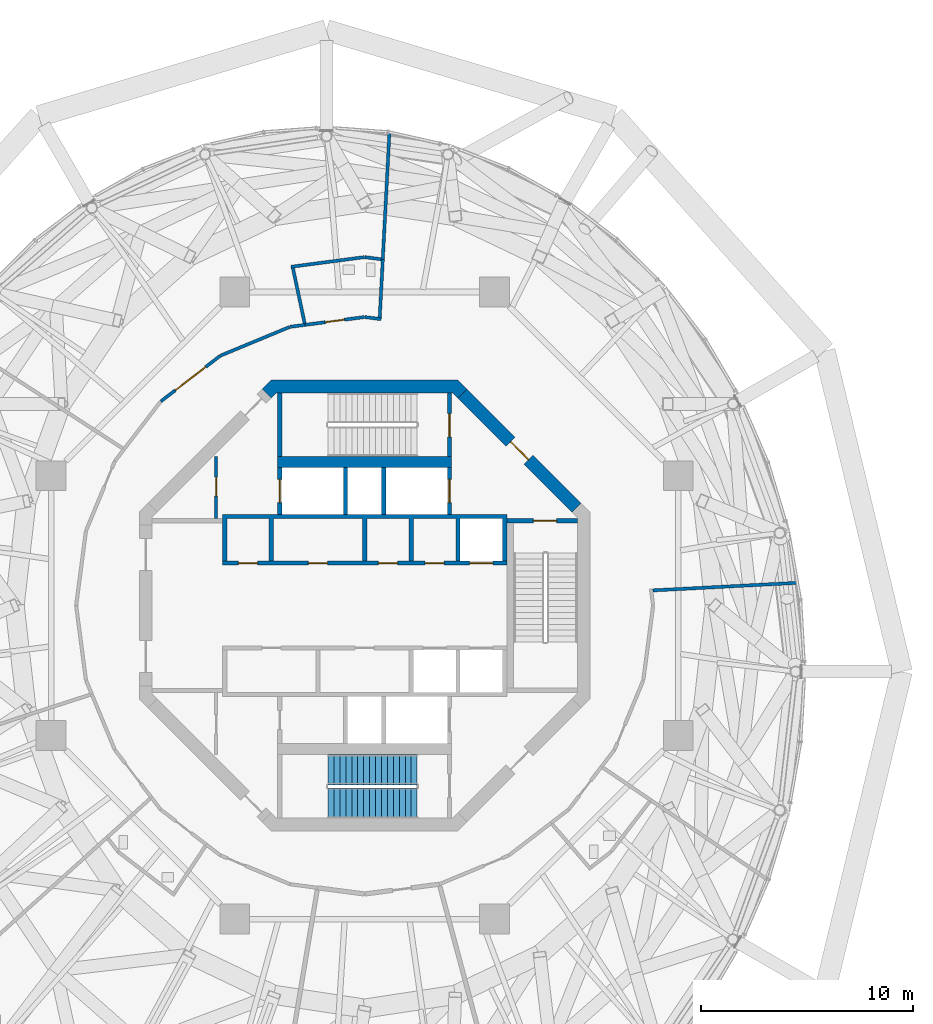
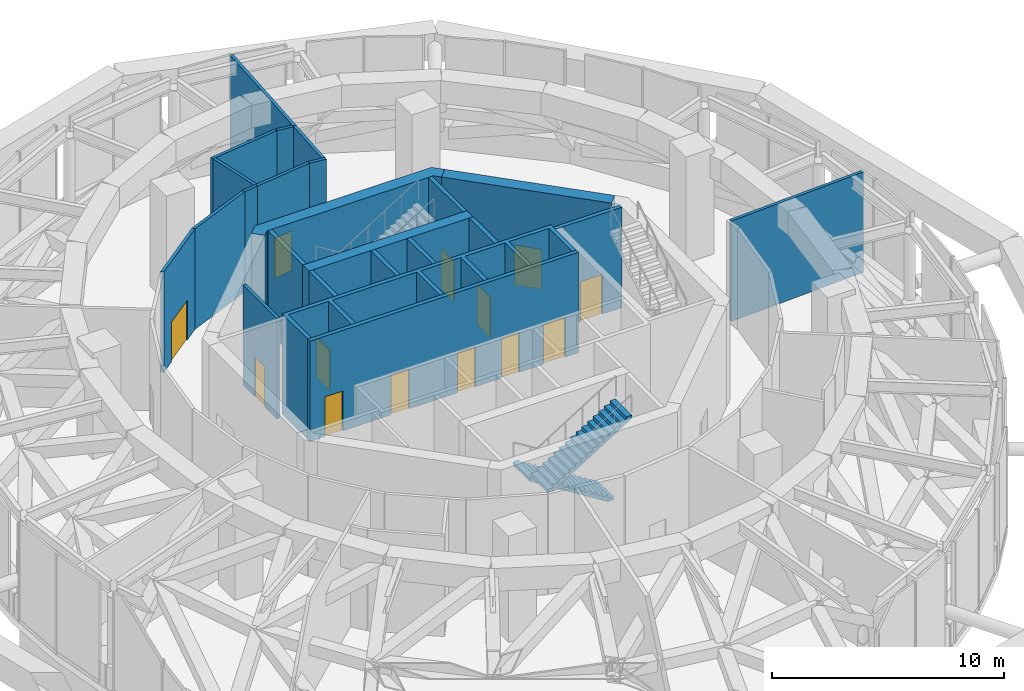
# One storey, part 15 of 22: 24 walls, 13 doors, 2 stair flights, 13 openings, 1 element without a shape of its own.
"""IFC4 building model written with IfcOpenShell, lengths in metres."""

from ifc_helpers import new_model, si_unit, direction, frame, frame_2d, origin, place, context, subcontext, project, spatial, polyline, rectangle, outline, extrude, material, layer, layer_set, type_object, element, fill, aggregate, save


model = new_model("IFC4")

# Units and contexts
model_context = context("Model", 3, precision=1e-05, world=origin(), true_north=direction((0.0, 1.0)))
body_context = subcontext(model_context, "Body", "Model", "MODEL_VIEW")
ifc_project = project(units=[si_unit("LENGTHUNIT", "METRE"), si_unit("AREAUNIT", "SQUARE_METRE"), si_unit("VOLUMEUNIT", "CUBIC_METRE"), si_unit("PLANEANGLEUNIT", "RADIAN"), si_unit("MASSUNIT", "GRAM", prefix="KILO")], contexts=[model_context])

# Site, building, storey
site_placement = place(None, origin())
site = spatial("IfcSite", under=ifc_project, at=site_placement, CompositionType="ELEMENT")
building_placement = place(site_placement, origin())
building = spatial("IfcBuilding", under=site, at=building_placement, Name="Nagisa Residences", CompositionType="ELEMENT")
storey_placement = place(building_placement, frame((0.0, 0.0, 310.300048828125)))
storey = spatial("IfcBuildingStorey", under=building, at=storey_placement, Name="L77", CompositionType="ELEMENT", Elevation=310.300048828125)

# Wall, opening, door
ifc_material_1 = material(Name="Gypsum board on steel studs", Category="steel")
ifc_layer_1 = layer(ifc_material_1, 0.14990234375)
ifc_layer_set_1 = layer_set([ifc_layer_1], Name="Core partition 150")
wall_type_1 = type_object("IfcWallType", Name="Core partition 150", PredefinedType="PARTITIONING", material=ifc_layer_set_1)
wall_1_placement = place(storey_placement, frame((-7.0, 4.10009765625, 0.0), z_axis=(0.0, 0.0, 1.0), x_axis=(0.0, 1.0, 0.0)))
wall_1 = element("IfcWall", 1, at=wall_1_placement, inside=storey, type_object=wall_type_1, Name="wall:L77:NWp", PredefinedType="PARTITIONING", context=body_context, shape_type="SweptSolid", body=[
    extrude(rectangle(XDim=2.9267578125, YDim=0.14990234375, at=frame_2d((1.46337890625, 0.0))), origin(), (0.0, 0.0, 1.0), 5.300048828125),
])
opening_1_placement = place(wall_1_placement, frame((1.051025390625, 0.0, 0.0)))
opening_1 = element("IfcOpeningElement", 2, at=opening_1_placement, cuts=wall_1, Name="Opening L77-C10", PredefinedType="OPENING", context=body_context, shape_type="SweptSolid", body=[
    extrude(rectangle(XDim=0.89990234375, YDim=2.10009765625, at=frame_2d((0.449951171875, 1.050048828125))), frame((0.0, 0.0849609375, 0.0), z_axis=(0.0, -1.0, 0.0), x_axis=(1.0, 0.0, 0.0)), (0.0, 0.0, 1.0), 0.169921875),
])
ifc_material_2 = material(Name="Steel fire door", Category="steel")
door_type_1 = type_object("IfcDoorType", Name="Fire door EI30 900x2100 single swing", OperationType="NOTDEFINED", PredefinedType="DOOR", material=ifc_material_2)
door_1_placement = place(opening_1_placement, origin())
door_1 = element("IfcDoor", 3, at=door_1_placement, inside=storey, type_object=door_type_1, Name="Electrical room door L77", OperationType="SINGLE_SWING_RIGHT", OverallHeight=2.10009765625, OverallWidth=0.89990234375, PredefinedType="DOOR", context=body_context, shape_type="SweptSolid", body=[
    extrude(rectangle(XDim=0.89990234375, YDim=2.10009765625, at=frame_2d((0.449951171875, 1.050048828125))), frame((0.0, 0.02490234375, 0.0), z_axis=(0.0, -1.0, 0.0), x_axis=(1.0, 0.0, 0.0)), (0.0, 0.0, 1.0), 0.050048828125),
])
fill(opening_1, door_1)

ifc_material_3 = material(Name="Concrete C60", Category="concrete")
ifc_layer_2 = layer(ifc_material_3, 0.60009765625)
ifc_layer_set_2 = layer_set([ifc_layer_2], Name="Core shear wall 600")
wall_type_2 = type_object("IfcWallType", Name="Core shear wall 600", PredefinedType="SHEAR", material=ifc_layer_set_2)
wall_2_placement = place(storey_placement, frame((9.98828125, 4.613037109375, 0.0), z_axis=(0.0, 0.0, 1.0), x_axis=(-0.707106781187, 0.707106781187, 0.0)))
wall_2 = element("IfcWall", 4, at=wall_2_placement, inside=storey, type_object=wall_type_2, Name="wall:L77:core:flat1", PredefinedType="SHEAR", context=body_context, shape_type="SweptSolid", body=[
    extrude(rectangle(XDim=7.601806640625, YDim=0.60009765625, at=frame_2d((3.80078125, 0.0))), origin(), (0.0, 0.0, 1.0), 5.300048828125),
])
opening_2_placement = place(wall_2_placement, frame((3.200927734375, 0.0, 0.0)))
opening_2 = element("IfcOpeningElement", 5, at=opening_2_placement, cuts=wall_2, Name="Opening L77-C19", PredefinedType="OPENING", context=body_context, shape_type="SweptSolid", body=[
    extrude(rectangle(XDim=1.199951171875, YDim=2.10009765625, at=frame_2d((0.60009765625, 1.050048828125))), frame((0.0, 0.31005859375, 0.0), z_axis=(0.0, -1.0, 0.0), x_axis=(1.0, 0.0, 0.0)), (0.0, 0.0, 1.0), 0.6201171875),
])
ifc_material_4 = material(Name="Steel fire door", Category="steel")
door_type_2 = type_object("IfcDoorType", Name="Fire door EI60 1200x2100 single swing", OperationType="NOTDEFINED", PredefinedType="DOOR", material=ifc_material_4)
door_2_placement = place(opening_2_placement, origin())
door_2 = element("IfcDoor", 6, at=door_2_placement, inside=storey, type_object=door_type_2, Name="Firefighting lobby 1 door L77", OperationType="SINGLE_SWING_LEFT", OverallHeight=2.10009765625, OverallWidth=1.199951171875, PredefinedType="DOOR", context=body_context, shape_type="SweptSolid", body=[
    extrude(rectangle(XDim=1.199951171875, YDim=2.10009765625, at=frame_2d((0.60009765625, 1.050048828125))), frame((0.0, 0.02490234375, 0.0), z_axis=(0.0, -1.0, 0.0), x_axis=(1.0, 0.0, 0.0)), (0.0, 0.0, 1.0), 0.050048828125),
])
fill(opening_2, door_2)

# Wall
wall_3_placement = place(storey_placement, origin())
element("IfcWall", 7, at=wall_3_placement, inside=storey, type_object=wall_type_2, Name="wall:L77:core:flat2", PredefinedType="SHEAR", context=body_context, shape_type="SweptSolid", body=[
    extrude(outline(polyline([(-4.15234375, 10.024658203125), (-4.40087890625, 9.776123046875), (-4.8251953125, 10.200439453125), (-4.40087890625, 10.62451171875), (4.40087890625, 10.62451171875), (4.8251953125, 10.200439453125), (4.40087890625, 9.776123046875), (4.15234375, 10.024658203125), (-4.15234375, 10.024658203125)])), origin(), (0.0, 0.0, 1.0), 5.300048828125),
])

# Wall, opening, door
ifc_material_5 = material(Name="Concrete C60", Category="concrete")
ifc_layer_3 = layer(ifc_material_5, 0.199951171875)
ifc_layer_set_3 = layer_set([ifc_layer_3], Name="Lift shaft wall 200")
wall_type_3 = type_object("IfcWallType", Name="Lift shaft wall 200", PredefinedType="SOLIDWALL", material=ifc_layer_set_3)
wall_4_placement = place(storey_placement, frame((4.0, 4.300048828125, 0.0), z_axis=(0.0, 0.0, 1.0), x_axis=(0.0, 1.0, 0.0)))
wall_4 = element("IfcWall", 8, at=wall_4_placement, inside=storey, type_object=wall_type_3, Name="wall:L77:Nb3", PredefinedType="SOLIDWALL", context=body_context, shape_type="SweptSolid", body=[
    extrude(rectangle(XDim=2.199951171875, YDim=0.199951171875, at=frame_2d((1.10009765625, 0.0))), origin(), (0.0, 0.0, 1.0), 5.300048828125),
])
opening_3_placement = place(wall_4_placement, frame((0.550048828125, 0.0, 0.0)))
opening_3 = element("IfcOpeningElement", 9, at=opening_3_placement, cuts=wall_4, Name="Opening L77-C04", PredefinedType="OPENING", context=body_context, shape_type="SweptSolid", body=[
    extrude(rectangle(XDim=1.10009765625, YDim=2.10009765625, at=frame_2d((0.550048828125, 1.050048828125))), frame((0.0, 0.10986328125, 0.0), z_axis=(0.0, -1.0, 0.0), x_axis=(1.0, 0.0, 0.0)), (0.0, 0.0, 1.0), 0.219970703125),
])
ifc_material_6 = material(Name="Stainless steel", Category="steel")
door_type_3 = type_object("IfcDoorType", Name="Lift landing door 1100x2100", OperationType="DOUBLE_DOOR_SLIDING", PredefinedType="DOOR", material=ifc_material_6)
door_3_placement = place(opening_3_placement, origin())
door_3 = element("IfcDoor", 10, at=door_3_placement, inside=storey, type_object=door_type_3, Name="Landing door FL1 L77", OperationType="DOUBLE_DOOR_SLIDING", OverallHeight=2.10009765625, OverallWidth=1.10009765625, PredefinedType="DOOR", context=body_context, shape_type="SweptSolid", body=[
    extrude(rectangle(XDim=1.10009765625, YDim=2.10009765625, at=frame_2d((0.550048828125, 1.050048828125))), frame((0.0, 0.02490234375, 0.0), z_axis=(0.0, -1.0, 0.0), x_axis=(1.0, 0.0, 0.0)), (0.0, 0.0, 1.0), 0.050048828125),
])
fill(opening_3, door_3)

wall_5_placement = place(storey_placement, frame((-4.0, 4.300048828125, 0.0), z_axis=(0.0, 0.0, 1.0), x_axis=(0.0, 1.0, 0.0)))
wall_5 = element("IfcWall", 11, at=wall_5_placement, inside=storey, type_object=wall_type_3, Name="wall:L77:Nb4", PredefinedType="SOLIDWALL", context=body_context, shape_type="SweptSolid", body=[
    extrude(rectangle(XDim=2.199951171875, YDim=0.199951171875, at=frame_2d((1.10009765625, 0.0))), origin(), (0.0, 0.0, 1.0), 5.300048828125),
])
opening_4_placement = place(wall_5_placement, frame((0.550048828125, 0.0, 0.0)))
opening_4 = element("IfcOpeningElement", 12, at=opening_4_placement, cuts=wall_5, Name="Opening L77-C06", PredefinedType="OPENING", context=body_context, shape_type="SweptSolid", body=[
    extrude(rectangle(XDim=1.10009765625, YDim=2.10009765625, at=frame_2d((0.550048828125, 1.050048828125))), frame((0.0, 0.10986328125, 0.0), z_axis=(0.0, -1.0, 0.0), x_axis=(1.0, 0.0, 0.0)), (0.0, 0.0, 1.0), 0.219970703125),
])
door_4_placement = place(opening_4_placement, origin())
door_4 = element("IfcDoor", 13, at=door_4_placement, inside=storey, type_object=door_type_3, Name="Landing door SV L77", OperationType="DOUBLE_DOOR_SLIDING", OverallHeight=2.10009765625, OverallWidth=1.10009765625, PredefinedType="DOOR", context=body_context, shape_type="SweptSolid", body=[
    extrude(rectangle(XDim=1.10009765625, YDim=2.10009765625, at=frame_2d((0.550048828125, 1.050048828125))), frame((0.0, 0.02490234375, 0.0), z_axis=(0.0, -1.0, 0.0), x_axis=(1.0, 0.0, 0.0)), (0.0, 0.0, 1.0), 0.050048828125),
])
fill(opening_4, door_4)

# Wall, openings, doors
wall_6_placement = place(storey_placement, frame((-6.699951171875, 2.0, 0.0), z_axis=(0.0, 0.0, 1.0), x_axis=(1.0, 0.0, 0.0)))
wall_6 = element("IfcWall", 14, at=wall_6_placement, inside=storey, type_object=wall_type_3, Name="wall:L77:Nfront", PredefinedType="SOLIDWALL", context=body_context, shape_type="SweptSolid", body=[
    extrude(rectangle(XDim=13.39990234375, YDim=0.199951171875, at=frame_2d((6.699951171875, 0.0))), origin(), (0.0, 0.0, 1.0), 5.300048828125),
])
opening_5_placement = place(wall_6_placement, frame((11.64990234375, 0.0, 0.0)))
opening_5 = element("IfcOpeningElement", 15, at=opening_5_placement, cuts=wall_6, Name="Opening L77-C01", PredefinedType="OPENING", context=body_context, shape_type="SweptSolid", body=[
    extrude(rectangle(XDim=1.10009765625, YDim=2.10009765625, at=frame_2d((0.550048828125, 1.050048828125))), frame((0.0, 0.10986328125, 0.0), z_axis=(0.0, -1.0, 0.0), x_axis=(1.0, 0.0, 0.0)), (0.0, 0.0, 1.0), 0.219970703125),
])
opening_6_placement = place(wall_6_placement, frame((0.75, 0.0, 0.0)))
opening_6 = element("IfcOpeningElement", 16, at=opening_6_placement, cuts=wall_6, Name="Opening L77-C13", PredefinedType="OPENING", context=body_context, shape_type="SweptSolid", body=[
    extrude(rectangle(XDim=0.89990234375, YDim=2.10009765625, at=frame_2d((0.449951171875, 1.050048828125))), frame((0.0, 0.10986328125, 0.0), z_axis=(0.0, -1.0, 0.0), x_axis=(1.0, 0.0, 0.0)), (0.0, 0.0, 1.0), 0.219970703125),
])
opening_7_placement = place(wall_6_placement, frame((4.050048828125, 0.0, 0.0)))
opening_7 = element("IfcOpeningElement", 17, at=opening_7_placement, cuts=wall_6, Name="Opening L77-C14", PredefinedType="OPENING", context=body_context, shape_type="SweptSolid", body=[
    extrude(rectangle(XDim=0.89990234375, YDim=2.10009765625, at=frame_2d((0.449951171875, 1.050048828125))), frame((0.0, 0.10986328125, 0.0), z_axis=(0.0, -1.0, 0.0), x_axis=(1.0, 0.0, 0.0)), (0.0, 0.0, 1.0), 0.219970703125),
])
opening_8_placement = place(wall_6_placement, frame((7.35009765625, 0.0, 0.0)))
opening_8 = element("IfcOpeningElement", 18, at=opening_8_placement, cuts=wall_6, Name="Opening L77-C15", PredefinedType="OPENING", context=body_context, shape_type="SweptSolid", body=[
    extrude(rectangle(XDim=0.89990234375, YDim=2.10009765625, at=frame_2d((0.449951171875, 1.050048828125))), frame((0.0, 0.10986328125, 0.0), z_axis=(0.0, -1.0, 0.0), x_axis=(1.0, 0.0, 0.0)), (0.0, 0.0, 1.0), 0.219970703125),
])
opening_9_placement = place(wall_6_placement, frame((9.550048828125, 0.0, 0.0)))
opening_9 = element("IfcOpeningElement", 19, at=opening_9_placement, cuts=wall_6, Name="Opening L77-C16", PredefinedType="OPENING", context=body_context, shape_type="SweptSolid", body=[
    extrude(rectangle(XDim=0.89990234375, YDim=2.10009765625, at=frame_2d((0.449951171875, 1.050048828125))), frame((0.0, 0.10986328125, 0.0), z_axis=(0.0, -1.0, 0.0), x_axis=(1.0, 0.0, 0.0)), (0.0, 0.0, 1.0), 0.219970703125),
])
door_5_placement = place(opening_6_placement, origin())
door_5 = element("IfcDoor", 20, at=door_5_placement, inside=storey, type_object=door_type_1, Name="Wine store door L77", OperationType="SINGLE_SWING_LEFT", OverallHeight=2.10009765625, OverallWidth=0.89990234375, PredefinedType="DOOR", context=body_context, shape_type="SweptSolid", body=[
    extrude(rectangle(XDim=0.89990234375, YDim=2.10009765625, at=frame_2d((0.449951171875, 1.050048828125))), frame((0.0, 0.02490234375, 0.0), z_axis=(0.0, -1.0, 0.0), x_axis=(1.0, 0.0, 0.0)), (0.0, 0.0, 1.0), 0.050048828125),
])
fill(opening_6, door_5)
door_6_placement = place(opening_7_placement, origin())
door_6 = element("IfcDoor", 21, at=door_6_placement, inside=storey, type_object=door_type_1, Name="Package room door L77", OperationType="SINGLE_SWING_LEFT", OverallHeight=2.10009765625, OverallWidth=0.89990234375, PredefinedType="DOOR", context=body_context, shape_type="SweptSolid", body=[
    extrude(rectangle(XDim=0.89990234375, YDim=2.10009765625, at=frame_2d((0.449951171875, 1.050048828125))), frame((0.0, 0.02490234375, 0.0), z_axis=(0.0, -1.0, 0.0), x_axis=(1.0, 0.0, 0.0)), (0.0, 0.0, 1.0), 0.050048828125),
])
fill(opening_7, door_6)
door_7_placement = place(opening_8_placement, origin())
door_7 = element("IfcDoor", 22, at=door_7_placement, inside=storey, type_object=door_type_1, Name="Linen store door L77", OperationType="SINGLE_SWING_LEFT", OverallHeight=2.10009765625, OverallWidth=0.89990234375, PredefinedType="DOOR", context=body_context, shape_type="SweptSolid", body=[
    extrude(rectangle(XDim=0.89990234375, YDim=2.10009765625, at=frame_2d((0.449951171875, 1.050048828125))), frame((0.0, 0.02490234375, 0.0), z_axis=(0.0, -1.0, 0.0), x_axis=(1.0, 0.0, 0.0)), (0.0, 0.0, 1.0), 0.050048828125),
])
fill(opening_8, door_7)
door_8_placement = place(opening_9_placement, origin())
door_8 = element("IfcDoor", 23, at=door_8_placement, inside=storey, type_object=door_type_1, Name="Tea preparation door L77", OperationType="SINGLE_SWING_RIGHT", OverallHeight=2.10009765625, OverallWidth=0.89990234375, PredefinedType="DOOR", context=body_context, shape_type="SweptSolid", body=[
    extrude(rectangle(XDim=0.89990234375, YDim=2.10009765625, at=frame_2d((0.449951171875, 1.050048828125))), frame((0.0, 0.02490234375, 0.0), z_axis=(0.0, -1.0, 0.0), x_axis=(1.0, 0.0, 0.0)), (0.0, 0.0, 1.0), 0.050048828125),
])
fill(opening_9, door_8)
door_9_placement = place(opening_5_placement, origin())
door_9 = element("IfcDoor", 24, at=door_9_placement, inside=storey, type_object=door_type_3, Name="Landing door C1 L77", OperationType="DOUBLE_DOOR_SLIDING", OverallHeight=2.10009765625, OverallWidth=1.10009765625, PredefinedType="DOOR", context=body_context, shape_type="SweptSolid", body=[
    extrude(rectangle(XDim=1.10009765625, YDim=2.10009765625, at=frame_2d((0.550048828125, 1.050048828125))), frame((0.0, 0.02490234375, 0.0), z_axis=(0.0, -1.0, 0.0), x_axis=(1.0, 0.0, 0.0)), (0.0, 0.0, 1.0), 0.050048828125),
])
fill(opening_5, door_9)

# Walls
for number, where, z_axis, x_axis, name in (
    (25, (-0.89990234375, 4.300048828125, 0.0), (0.0, 0.0, 1.0), (0.0, 1.0, 0.0), "wall:L77:Nb1"),
    (26, (0.89990234375, 4.300048828125, 0.0), (0.0, 0.0, 1.0), (0.0, 1.0, 0.0), "wall:L77:Nb2"),
):
    element("IfcWall", number, at=place(storey_placement, frame(where, z_axis=z_axis, x_axis=x_axis)), inside=storey, type_object=wall_type_3, Name=name, PredefinedType="SOLIDWALL", context=body_context, shape_type="SweptSolid", body=[
        extrude(rectangle(XDim=2.199951171875, YDim=0.199951171875, at=frame_2d((1.10009765625, 0.0))), origin(), (0.0, 0.0, 1.0), 5.300048828125),
    ])
wall_7_placement = place(storey_placement, origin())
element("IfcWall", 27, at=wall_7_placement, inside=storey, type_object=wall_type_3, Name="wall:L77:Nback", PredefinedType="SOLIDWALL", context=body_context, shape_type="SweptSolid", body=[
    extrude(outline(polyline([(-6.699951171875, 4.300048828125), (6.699951171875, 4.300048828125), (6.699951171875, 2.10009765625), (6.5, 2.10009765625), (6.5, 4.10009765625), (4.5, 4.10009765625), (4.5, 2.10009765625), (4.300048828125, 2.10009765625), (4.300048828125, 4.10009765625), (2.300048828125, 4.10009765625), (2.300048828125, 2.10009765625), (2.10009765625, 2.10009765625), (2.10009765625, 4.10009765625), (0.10009765625, 4.10009765625), (0.10009765625, 2.10009765625), (-0.10009765625, 2.10009765625), (-0.10009765625, 4.10009765625), (-4.300048828125, 4.10009765625), (-4.300048828125, 2.10009765625), (-4.5, 2.10009765625), (-4.5, 4.10009765625), (-6.5, 4.10009765625), (-6.5, 2.10009765625), (-6.699951171875, 2.10009765625), (-6.699951171875, 4.300048828125)])), origin(), (0.0, 0.0, 1.0), 5.300048828125),
])

# Wall, opening, door
ifc_material_7 = material(Name="Gypsum board on steel studs", Category="steel")
ifc_layer_4 = layer(ifc_material_7, 0.14990234375)
ifc_layer_set_4 = layer_set([ifc_layer_4], Name="Room partition EI60 150")
wall_type_4 = type_object("IfcWallType", Name="Room partition EI60 150", PredefinedType="PARTITIONING", material=ifc_layer_set_4)
wall_8_placement = place(storey_placement, frame((-9.607177734375, 9.6240234375, 0.0), z_axis=(0.0, 0.0, 1.0), x_axis=(0.793372307201, 0.608736710054, 0.0)))
wall_8 = element("IfcWall", 28, at=wall_8_placement, inside=storey, type_object=wall_type_4, Name="wall:L77:am014", PredefinedType="PARTITIONING", context=body_context, shape_type="SweptSolid", body=[
    extrude(rectangle(XDim=3.526611328125, YDim=0.14990234375, at=frame_2d((1.76318359375, 0.0))), origin(), (0.0, 0.0, 1.0), 5.300048828125),
])
opening_10_placement = place(wall_8_placement, frame((0.86328125, 0.0, 0.0)))
opening_10 = element("IfcOpeningElement", 29, at=opening_10_placement, cuts=wall_8, Name="Opening L77-A02", PredefinedType="OPENING", context=body_context, shape_type="SweptSolid", body=[
    extrude(rectangle(XDim=1.800048828125, YDim=2.10009765625, at=frame_2d((0.89990234375, 1.050048828125))), frame((0.0, 0.0849609375, 0.0), z_axis=(0.0, -1.0, 0.0), x_axis=(1.0, 0.0, 0.0)), (0.0, 0.0, 1.0), 0.169921875),
])
ifc_material_8 = material(Name="Steel fire door", Category="steel")
door_type_4 = type_object("IfcDoorType", Name="Fire door EI30 1800x2100 double door single swing", OperationType="DOUBLE_DOOR_SINGLE_SWING", PredefinedType="DOOR", material=ifc_material_8)
door_10_placement = place(opening_10_placement, origin())
door_10 = element("IfcDoor", 30, at=door_10_placement, inside=storey, type_object=door_type_4, Name="Panorama lounge door", OperationType="DOUBLE_DOOR_SINGLE_SWING", OverallHeight=2.10009765625, OverallWidth=1.800048828125, PredefinedType="DOOR", context=body_context, shape_type="SweptSolid", body=[
    extrude(rectangle(XDim=1.800048828125, YDim=2.10009765625, at=frame_2d((0.89990234375, 1.050048828125))), frame((0.0, 0.02490234375, 0.0), z_axis=(0.0, -1.0, 0.0), x_axis=(1.0, 0.0, 0.0)), (0.0, 0.0, 1.0), 0.050048828125),
])
fill(opening_10, door_10)

# Walls
wall_9_placement = place(storey_placement, frame((-6.7890625, 11.782470703125, 0.0), z_axis=(0.0, 0.0, 1.0), x_axis=(0.923881838111, 0.382677866108, 0.0)))
element("IfcWall", 31, at=wall_9_placement, inside=storey, type_object=wall_type_4, Name="wall:L77:am019", PredefinedType="PARTITIONING", context=body_context, shape_type="SweptSolid", body=[
    extrude(rectangle(XDim=3.52685546875, YDim=0.14990234375, at=frame_2d((1.763427734375, 0.0))), origin(), (0.0, 0.0, 1.0), 5.300048828125),
])
wall_10_placement = place(storey_placement, frame((-3.508056640625, 13.13818359375, 0.0), z_axis=(0.0, 0.0, 1.0), x_axis=(0.991460212813, 0.130409533429, 0.0)))
element("IfcWall", 32, at=wall_10_placement, inside=storey, type_object=wall_type_4, Name="wall:L77:am021", PredefinedType="PARTITIONING", context=body_context, shape_type="SweptSolid", body=[
    extrude(rectangle(XDim=0.7021484375, YDim=0.14990234375, at=frame_2d((0.35107421875, 0.0))), origin(), (0.0, 0.0, 1.0), 5.300048828125),
])
wall_11_placement = place(storey_placement, frame((-3.470703125, 15.96728515625, 0.0), z_axis=(0.0, 0.0, 1.0), x_axis=(0.991447148591, 0.130508817908, 0.0)))
element("IfcWall", 33, at=wall_11_placement, inside=storey, type_object=wall_type_4, Name="wall:L77:am022", PredefinedType="PARTITIONING", context=body_context, shape_type="SweptSolid", body=[
    extrude(rectangle(XDim=3.48876953125, YDim=0.14990234375, at=frame_2d((1.744384765625, 0.0))), origin(), (0.0, 0.0, 1.0), 5.300048828125),
])
wall_12_placement = place(storey_placement, frame((-2.82763671875, 13.303466796875, 0.0), z_axis=(0.0, 0.0, 1.0), x_axis=(-0.207935646859, 0.978142508413, 0.0)))
element("IfcWall", 34, at=wall_12_placement, inside=storey, type_object=wall_type_4, Name="wall:L77:am023", PredefinedType="PARTITIONING", context=body_context, shape_type="SweptSolid", body=[
    extrude(rectangle(XDim=2.658203125, YDim=0.14990234375, at=frame_2d((1.3291015625, 0.0))), origin(), (0.0, 0.0, 1.0), 5.300048828125),
])

# Wall, opening, door
wall_13_placement = place(storey_placement, frame((-2.81201171875, 13.229736328125, 0.0), z_axis=(0.0, 0.0, 1.0), x_axis=(0.991445467051, 0.130521591565, 0.0)))
wall_13 = element("IfcWall", 35, at=wall_13_placement, inside=storey, type_object=wall_type_4, Name="wall:L77:am024", PredefinedType="PARTITIONING", context=body_context, shape_type="SweptSolid", body=[
    extrude(rectangle(XDim=2.824462890625, YDim=0.14990234375, at=frame_2d((1.412109375, 0.0))), origin(), (0.0, 0.0, 1.0), 5.300048828125),
])
opening_11_placement = place(wall_13_placement, frame((0.96826171875, 0.0, 0.0)))
opening_11 = element("IfcOpeningElement", 36, at=opening_11_placement, cuts=wall_13, Name="Opening L77-A01", PredefinedType="OPENING", context=body_context, shape_type="SweptSolid", body=[
    extrude(rectangle(XDim=0.89990234375, YDim=2.10009765625, at=frame_2d((0.449951171875, 1.050048828125))), frame((0.0, 0.0849609375, 0.0), z_axis=(0.0, -1.0, 0.0), x_axis=(1.0, 0.0, 0.0)), (0.0, 0.0, 1.0), 0.169921875),
])
door_11_placement = place(opening_11_placement, origin())
door_11 = element("IfcDoor", 37, at=door_11_placement, inside=storey, type_object=door_type_1, Name="Accessible WC door", OperationType="SINGLE_SWING_LEFT", OverallHeight=2.10009765625, OverallWidth=0.89990234375, PredefinedType="DOOR", context=body_context, shape_type="SweptSolid", body=[
    extrude(rectangle(XDim=0.89990234375, YDim=2.10009765625, at=frame_2d((0.449951171875, 1.050048828125))), frame((0.0, 0.02490234375, 0.0), z_axis=(0.0, -1.0, 0.0), x_axis=(1.0, 0.0, 0.0)), (0.0, 0.0, 1.0), 0.050048828125),
])
fill(opening_11, door_11)

# Walls
wall_14_placement = place(storey_placement, frame((0.01171875, 13.598388671875, 0.0), z_axis=(0.0, 0.0, 1.0), x_axis=(0.991470322154, -0.130332652421, 0.0)))
element("IfcWall", 38, at=wall_14_placement, inside=storey, type_object=wall_type_4, Name="wall:L77:am026", PredefinedType="PARTITIONING", context=body_context, shape_type="SweptSolid", body=[
    extrude(rectangle(XDim=0.77734375, YDim=0.14990234375, at=frame_2d((0.388671875, 0.0))), origin(), (0.0, 0.0, 1.0), 5.300048828125),
])
wall_15_placement = place(storey_placement, frame((0.01171875, 16.422607421875, 0.0), z_axis=(0.0, 0.0, 1.0), x_axis=(0.991462869305, -0.130389335417, 0.0)))
element("IfcWall", 39, at=wall_15_placement, inside=storey, type_object=wall_type_4, Name="wall:L77:am027", PredefinedType="PARTITIONING", context=body_context, shape_type="SweptSolid", body=[
    extrude(rectangle(XDim=0.775146484375, YDim=0.14990234375, at=frame_2d((0.3876953125, 0.0))), origin(), (0.0, 0.0, 1.0), 5.300048828125),
])
wall_16_placement = place(storey_placement, frame((0.7119140625, 13.58203125, 0.0), z_axis=(0.0, 0.0, 1.0), x_axis=(0.052343174033, 0.99862915646, 0.0)))
element("IfcWall", 40, at=wall_16_placement, inside=storey, type_object=wall_type_4, Name="wall:L77:am028", PredefinedType="PARTITIONING", context=body_context, shape_type="SweptSolid", body=[
    extrude(rectangle(XDim=2.733154296875, YDim=0.14990234375, at=frame_2d((1.36669921875, 0.0))), origin(), (0.0, 0.0, 1.0), 5.300048828125),
])
wall_17_placement = place(storey_placement, frame((0.85498046875, 16.3115234375, 0.0), z_axis=(0.0, 0.0, 1.0), x_axis=(0.052310787201, 0.99863085349, 0.0)))
element("IfcWall", 41, at=wall_17_placement, inside=storey, type_object=wall_type_4, Name="wall:L77:am029", PredefinedType="PARTITIONING", context=body_context, shape_type="SweptSolid", body=[
    extrude(rectangle(XDim=5.99267578125, YDim=0.14990234375, at=frame_2d((2.996337890625, 0.0))), origin(), (0.0, 0.0, 1.0), 5.300048828125),
])
wall_18_placement = place(storey_placement, frame((20.380615234375, 1.068115234375, 0.0), z_axis=(0.0, 0.0, 1.0), x_axis=(-0.998630283289, -0.052321671394, 0.0)))
element("IfcWall", 42, at=wall_18_placement, inside=storey, type_object=wall_type_4, Name="wall:L77:am043", PredefinedType="PARTITIONING", context=body_context, shape_type="SweptSolid", body=[
    extrude(rectangle(XDim=6.807861328125, YDim=0.14990234375, at=frame_2d((3.40380859375, 0.0))), origin(), (0.0, 0.0, 1.0), 5.300048828125),
])

# Wall, opening, door
ifc_material_9 = material(Name="Concrete C60", Category="concrete")
ifc_layer_5 = layer(ifc_material_9, 0.199951171875)
ifc_layer_set_5 = layer_set([ifc_layer_5], Name="Stair enclosure wall 200")
wall_type_5 = type_object("IfcWallType", Name="Stair enclosure wall 200", PredefinedType="SOLIDWALL", material=ifc_layer_set_5)
wall_19_placement = place(storey_placement, frame((6.699951171875, 4.0, 0.0), z_axis=(0.0, 0.0, 1.0), x_axis=(1.0, 0.0, 0.0)))
wall_19 = element("IfcWall", 43, at=wall_19_placement, inside=storey, type_object=wall_type_5, Name="wall:L77:SE_n", PredefinedType="SOLIDWALL", context=body_context, shape_type="SweptSolid", body=[
    extrude(rectangle(XDim=3.32470703125, YDim=0.199951171875, at=frame_2d((1.662353515625, 0.0))), origin(), (0.0, 0.0, 1.0), 5.300048828125),
])
opening_12_placement = place(wall_19_placement, frame((1.25, 0.0, 0.0)))
opening_12 = element("IfcOpeningElement", 44, at=opening_12_placement, cuts=wall_19, Name="Opening L77-C07", PredefinedType="OPENING", context=body_context, shape_type="SweptSolid", body=[
    extrude(rectangle(XDim=1.10009765625, YDim=2.10009765625, at=frame_2d((0.550048828125, 1.050048828125))), frame((0.0, 0.10986328125, 0.0), z_axis=(0.0, -1.0, 0.0), x_axis=(1.0, 0.0, 0.0)), (0.0, 0.0, 1.0), 0.219970703125),
])
ifc_material_10 = material(Name="Steel fire door", Category="steel")
door_type_5 = type_object("IfcDoorType", Name="Fire door EI90 1100x2100 single swing", OperationType="NOTDEFINED", PredefinedType="DOOR", material=ifc_material_10)
door_12_placement = place(opening_12_placement, frame((1.10009765625, 0.0, 0.0), x_axis=(-1.0, 0.0, 0.0)))
door_12 = element("IfcDoor", 45, at=door_12_placement, inside=storey, type_object=door_type_5, Name="Stair door ST-E L77", OperationType="SINGLE_SWING_RIGHT", OverallHeight=2.10009765625, OverallWidth=1.10009765625, PredefinedType="DOOR", context=body_context, shape_type="SweptSolid", body=[
    extrude(rectangle(XDim=1.10009765625, YDim=2.10009765625, at=frame_2d((0.550048828125, 1.050048828125))), frame((0.0, 0.02490234375, 0.0), z_axis=(0.0, -1.0, 0.0), x_axis=(1.0, 0.0, 0.0)), (0.0, 0.0, 1.0), 0.050048828125),
])
fill(opening_12, door_12)

wall_20_placement = place(storey_placement, frame((4.0, 7.024658203125, 0.0), z_axis=(0.0, 0.0, 1.0), x_axis=(0.0, 1.0, 0.0)))
wall_20 = element("IfcWall", 46, at=wall_20_placement, inside=storey, type_object=wall_type_5, Name="wall:L77:SN_e", PredefinedType="SOLIDWALL", context=body_context, shape_type="SweptSolid", body=[
    extrude(rectangle(XDim=3.0, YDim=0.199951171875, at=frame_2d((1.5, 0.0))), origin(), (0.0, 0.0, 1.0), 5.300048828125),
])
opening_13_placement = place(wall_20_placement, frame((0.92529296875, 0.0, 0.0)))
opening_13 = element("IfcOpeningElement", 47, at=opening_13_placement, cuts=wall_20, Name="Opening L77-C08", PredefinedType="OPENING", context=body_context, shape_type="SweptSolid", body=[
    extrude(rectangle(XDim=1.10009765625, YDim=2.10009765625, at=frame_2d((0.550048828125, 1.050048828125))), frame((0.0, 0.10986328125, 0.0), z_axis=(0.0, -1.0, 0.0), x_axis=(1.0, 0.0, 0.0)), (0.0, 0.0, 1.0), 0.219970703125),
])
door_13_placement = place(opening_13_placement, origin())
door_13 = element("IfcDoor", 48, at=door_13_placement, inside=storey, type_object=door_type_5, Name="Stair door ST-N L77", OperationType="SINGLE_SWING_LEFT", OverallHeight=2.10009765625, OverallWidth=1.10009765625, PredefinedType="DOOR", context=body_context, shape_type="SweptSolid", body=[
    extrude(rectangle(XDim=1.10009765625, YDim=2.10009765625, at=frame_2d((0.550048828125, 1.050048828125))), frame((0.0, 0.02490234375, 0.0), z_axis=(0.0, -1.0, 0.0), x_axis=(1.0, 0.0, 0.0)), (0.0, 0.0, 1.0), 0.050048828125),
])
fill(opening_13, door_13)

# Walls
wall_21_placement = place(storey_placement, origin())
element("IfcWall", 49, at=wall_21_placement, inside=storey, type_object=wall_type_5, Name="wall:L77:SN_w", PredefinedType="SOLIDWALL", context=body_context, shape_type="SweptSolid", body=[
    extrude(outline(polyline([(-3.89990234375, 7.024658203125), (-4.10009765625, 7.024658203125), (-4.10009765625, 10.024658203125), (-3.89990234375, 10.024658203125), (-3.89990234375, 7.024658203125)])), origin(), (0.0, 0.0, 1.0), 5.300048828125),
])
wall_22_placement = place(storey_placement, origin())
element("IfcWall", 50, at=wall_22_placement, inside=storey, type_object=wall_type_5, Name="wall:L77:SN_s", PredefinedType="SOLIDWALL", context=body_context, shape_type="SweptSolid", body=[
    extrude(outline(polyline([(4.10009765625, 6.5), (-4.10009765625, 6.5), (-4.10009765625, 7.024658203125), (4.10009765625, 7.024658203125), (4.10009765625, 6.5)])), origin(), (0.0, 0.0, 1.0), 5.300048828125),
])

# Stair, stair flights
ifc_material_11 = material(Name="Concrete C60", Category="concrete")
stair_type = type_object("IfcStairType", Name="Exit stair", PredefinedType="HALF_TURN_STAIR", material=ifc_material_11)
stair_placement = place(storey_placement, origin())
stair = element("IfcStair", 51, at=stair_placement, inside=storey, type_object=stair_type, Name="L77 Exit stair S", PredefinedType="HALF_TURN_STAIR")
ifc_material_12 = material(Name="Concrete C60", Category="concrete")
stair_flight_type = type_object("IfcStairFlightType", Name="Exit stair flight", PredefinedType="STRAIGHT", material=ifc_material_12)
stair_flight_1_placement = place(storey_placement, frame((2.47509765625, -7.737060546875, 0.0), z_axis=(0.0, 0.0, 1.0), x_axis=(-1.0, 0.0, 0.0)))
stair_flight_1 = element("IfcStairFlight", 52, at=stair_flight_1_placement, type_object=stair_flight_type, Name="ST-S flight 1", NumberOfRisers=16, NumberOfTreads=15, PredefinedType="STRAIGHT", RiserHeight=0.175, TreadLength=0.28, context=body_context, shape_type="SweptSolid", body=[
    extrude(outline(polyline([(0.0, 0.0), (0.0, 0.175048828125), (0.280029296875, 0.175048828125), (0.280029296875, 0.35009765625), (0.56005859375, 0.35009765625), (0.56005859375, 0.52490234375), (0.840087890625, 0.52490234375), (0.840087890625, 0.699951171875), (1.1201171875, 0.699951171875), (1.1201171875, 0.875), (1.39990234375, 0.875), (1.39990234375, 1.050048828125), (1.679931640625, 1.050048828125), (1.679931640625, 1.22509765625), (1.9599609375, 1.22509765625), (1.9599609375, 1.39990234375), (2.239990234375, 1.39990234375), (2.239990234375, 1.574951171875), (2.52001953125, 1.574951171875), (2.52001953125, 1.75), (2.800048828125, 1.75), (2.800048828125, 1.925048828125), (3.080078125, 1.925048828125), (3.080078125, 2.10009765625), (3.360107421875, 2.10009765625), (3.360107421875, 2.27490234375), (3.639892578125, 2.27490234375), (3.639892578125, 2.449951171875), (3.919921875, 2.449951171875), (3.919921875, 2.625), (4.199951171875, 2.625), (4.199951171875, 2.800048828125), (4.199951171875, 2.4482421875), (0.28271484375, 0.0), (0.0, 0.0)])), frame((0.0, 0.71240234375, 0.0), z_axis=(0.0, -1.0, 0.0), x_axis=(1.0, 0.0, 0.0)), (0.0, 0.0, 1.0), 1.425048828125),
])
stair_flight_2_placement = place(storey_placement, frame((-1.72509765625, -9.31201171875, 2.800048828125), z_axis=(0.0, 0.0, 1.0), x_axis=(1.0, 0.0, 0.0)))
stair_flight_2 = element("IfcStairFlight", 53, at=stair_flight_2_placement, type_object=stair_flight_type, Name="ST-S flight 2", NumberOfRisers=16, NumberOfTreads=15, PredefinedType="STRAIGHT", RiserHeight=0.175, TreadLength=0.28, context=body_context, shape_type="SweptSolid", body=[
    extrude(outline(polyline([(0.0, 0.0), (0.0, 0.175048828125), (0.280029296875, 0.175048828125), (0.280029296875, 0.35009765625), (0.56005859375, 0.35009765625), (0.56005859375, 0.52490234375), (0.840087890625, 0.52490234375), (0.840087890625, 0.699951171875), (1.1201171875, 0.699951171875), (1.1201171875, 0.875), (1.39990234375, 0.875), (1.39990234375, 1.050048828125), (1.679931640625, 1.050048828125), (1.679931640625, 1.22509765625), (1.9599609375, 1.22509765625), (1.9599609375, 1.39990234375), (2.239990234375, 1.39990234375), (2.239990234375, 1.574951171875), (2.52001953125, 1.574951171875), (2.52001953125, 1.75), (2.800048828125, 1.75), (2.800048828125, 1.925048828125), (3.080078125, 1.925048828125), (3.080078125, 2.10009765625), (3.360107421875, 2.10009765625), (3.360107421875, 2.27490234375), (3.639892578125, 2.27490234375), (3.639892578125, 2.449951171875), (3.919921875, 2.449951171875), (3.919921875, 2.625), (4.199951171875, 2.625), (4.199951171875, 2.800048828125), (4.199951171875, 2.4482421875), (0.28271484375, 0.0), (0.0, 0.0)])), frame((0.0, 0.71240234375, 0.0), z_axis=(0.0, -1.0, 0.0), x_axis=(1.0, 0.0, 0.0)), (0.0, 0.0, 1.0), 1.425048828125),
])
aggregate(stair, [stair_flight_1, stair_flight_2])

save(model, "model.ifc")
